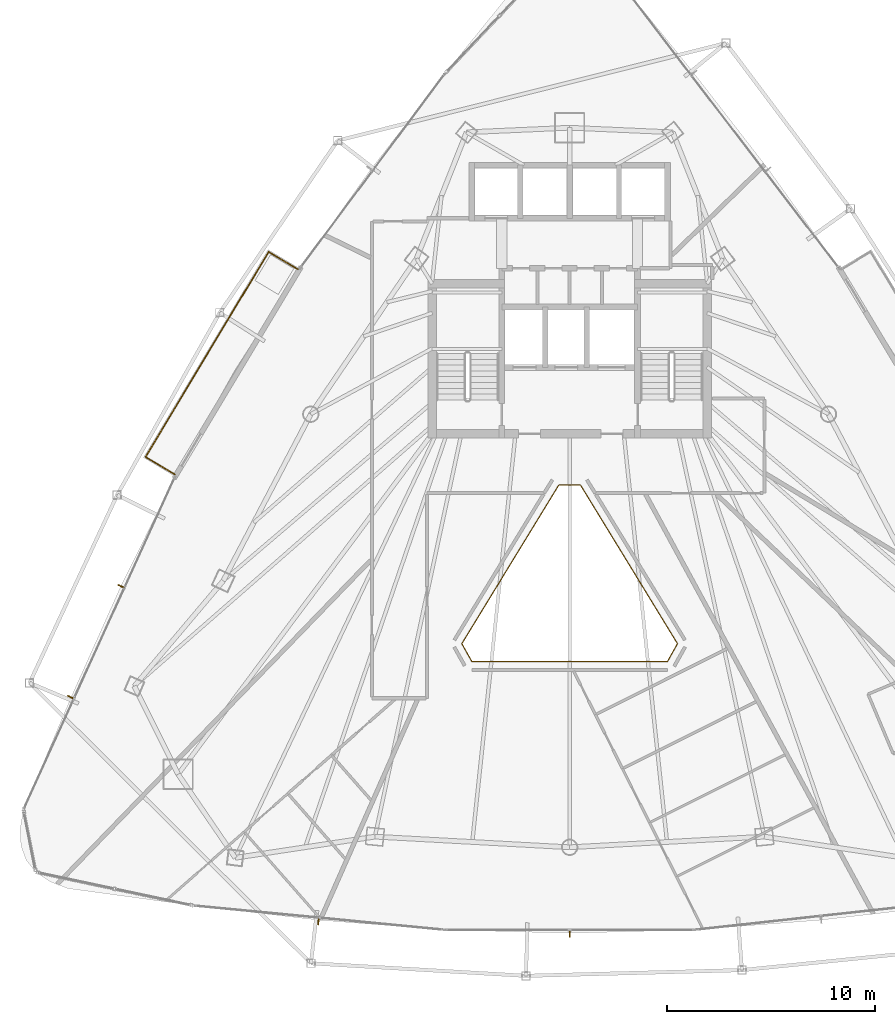
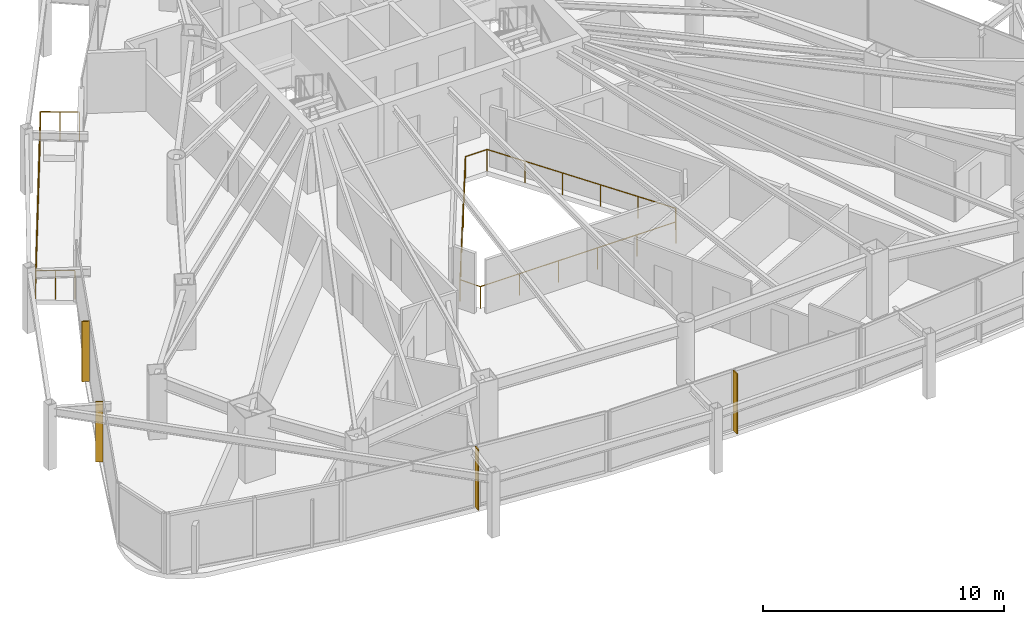
# One storey, part 29 of 31: 4 shading devices, 2 railings.
"""IFC4 building model written with IfcOpenShell, lengths in metres."""

from ifc_helpers import new_model, si_unit, direction, frame, origin, origin_2d, place, context, subcontext, project, spatial, rectangle, circle, extrude, material, layer, layer_set, type_object, element, save


model = new_model("IFC4")

# Units and contexts
model_context = context("Model", 3, precision=1e-05, world=origin(), true_north=direction((0.0, 1.0)))
body_context = subcontext(model_context, "Body", "Model", "MODEL_VIEW")
ifc_project = project(units=[si_unit("LENGTHUNIT", "METRE"), si_unit("AREAUNIT", "SQUARE_METRE"), si_unit("VOLUMEUNIT", "CUBIC_METRE"), si_unit("PLANEANGLEUNIT", "RADIAN"), si_unit("MASSUNIT", "GRAM", prefix="KILO")], contexts=[model_context])

# Site, building, storey
site_placement = place(None, origin())
site = spatial("IfcSite", under=ifc_project, at=site_placement, CompositionType="ELEMENT")
building_placement = place(site_placement, origin())
building = spatial("IfcBuilding", under=site, at=building_placement, Name="Orvanel Arch Residences", CompositionType="ELEMENT")
storey_placement = place(building_placement, frame((0.0, 0.0, 106.699951171875)))
storey = spatial("IfcBuildingStorey", under=building, at=storey_placement, Name="L29", CompositionType="ELEMENT", Elevation=106.699951171875)

# Shading devices
ifc_material = material(Name="Bronze-anodised aluminium AA6063-T6", Category="aluminium")
ifc_layer = layer(ifc_material, 0.054931640625)
ifc_layer_set = layer_set([ifc_layer], Name="Bronze-anodised aluminium AA6063-T6")
shading_device_type = type_object("IfcShadingDeviceType", Name="FIN-BRZ-320", PredefinedType="USERDEFINED", material=ifc_layer_set)
for number, where, z_axis, x_axis, name in (
    (1, (11.450927734375, 19.382080078125, 0.0), (0.0, 0.0, 1.0), (-0.909961270877, 0.414693242656, 0.0), "L29 Anodised Bronze Mullion FIN 01"),
    (2, (9.028076171875, 14.05908203125, 0.0), (0.0, 0.0, 1.0), (-0.909961270877, 0.414693242656, 0.0), "L29 Anodised Bronze Mullion FIN 02"),
    (3, (20.93603515625, 3.27392578125, 0.0), (0.0, 0.0, 1.0), (-0.09584575252, -0.995396198367, 0.0), "L29 Anodised Bronze Mullion FIN 01"),
    (4, (33.0, 2.69189453125, 0.0), (0.0, 0.0, 1.0), (0.0, -1.0, 0.0), "L29 Anodised Bronze Mullion FIN 01"),
):
    element("IfcShadingDevice", number, at=place(storey_placement, frame(where, z_axis=z_axis, x_axis=x_axis)), inside=storey, type_object=shading_device_type, Name=name, ObjectType="FIN", PredefinedType="USERDEFINED", context=body_context, shape_type="SweptSolid", body=[
        extrude(rectangle(XDim=0.320068359375, YDim=0.054931640625, at=origin_2d()), origin(), (0.0, 0.0, 1.0), 3.06005859375),
    ])

# Railings
railing_type_1 = type_object("IfcRailingType", Name="RL-ATR-1120", PredefinedType="BALUSTRADE", material=ifc_material)
railing_1_placement = place(storey_placement, frame((33.52392578125, 24.22998046875, 0.0)))
element("IfcRailing", 5, at=railing_1_placement, inside=storey, type_object=railing_type_1, Name="L29 Atrium Void Protective Balustrade", PredefinedType="BALUSTRADE", context=body_context, shape_type="SweptSolid", body=[
    extrude(circle(Radius=0.02392578125, at=origin_2d()), frame((-0.00146484375, 0.0, 1.09619140625), z_axis=(-1.0, 0.0, 0.0), x_axis=(0.0, -1.0, 0.0)), (0.0, 0.0, 1.0), 1.044921875),
    extrude(circle(Radius=0.02392578125, at=origin_2d()), frame((-1.048583984375, -0.001220703125, 1.09619140625), z_axis=(-0.521600617543, -0.853189777118, 0.0), x_axis=(0.853189777118, -0.521600617543, 0.0)), (0.0, 0.0, 1.0), 8.9140625),
    extrude(circle(Radius=0.02392578125, at=origin_2d()), frame((-5.6982421875, -7.609130859375, 1.09619140625), z_axis=(0.488905623949, -0.872336684355, 0.0), x_axis=(0.872336684355, 0.488905623949, 0.0)), (0.0, 0.0, 1.0), 0.980712890625),
    extrude(circle(Radius=0.02392578125, at=origin_2d()), frame((-5.216552734375, -8.466064453125, 1.09619140625), z_axis=(1.0, 0.0, 0.0), x_axis=(0.0, 1.0, 0.0)), (0.0, 0.0, 1.0), 9.38525390625),
    extrude(circle(Radius=0.02392578125, at=origin_2d()), frame((4.1708984375, -8.46484375, 1.09619140625), z_axis=(0.488905623949, 0.872336684355, 0.0), x_axis=(-0.872336684355, 0.488905623949, 0.0)), (0.0, 0.0, 1.0), 0.980712890625),
    extrude(circle(Radius=0.02392578125, at=origin_2d()), frame((4.650390625, -7.606689453125, 1.09619140625), z_axis=(-0.521600617543, 0.853189777118, 0.0), x_axis=(-0.853189777118, -0.521600617543, 0.0)), (0.0, 0.0, 1.0), 8.9140625),
    extrude(circle(Radius=0.02099609375, at=origin_2d()), origin(), (0.0, 0.0, 1.0), 1.070068359375),
    extrude(circle(Radius=0.02099609375, at=origin_2d()), frame((-1.0478515625, 0.0, 0.0)), (0.0, 0.0, 1.0), 1.070068359375),
    extrude(circle(Radius=0.02099609375, at=origin_2d()), frame((-1.97802734375, -1.521484375, 0.0)), (0.0, 0.0, 1.0), 1.070068359375),
    extrude(circle(Radius=0.02099609375, at=origin_2d()), frame((-2.908203125, -3.043212890625, 0.0)), (0.0, 0.0, 1.0), 1.070068359375),
    extrude(circle(Radius=0.02099609375, at=origin_2d()), frame((-3.838623046875, -4.564697265625, 0.0)), (0.0, 0.0, 1.0), 1.070068359375),
    extrude(circle(Radius=0.02099609375, at=origin_2d()), frame((-4.768798828125, -6.08642578125, 0.0)), (0.0, 0.0, 1.0), 1.070068359375),
    extrude(circle(Radius=0.02099609375, at=origin_2d()), frame((-5.698974609375, -7.60791015625, 0.0)), (0.0, 0.0, 1.0), 1.070068359375),
    extrude(circle(Radius=0.02099609375, at=origin_2d()), frame((-5.218017578125, -8.466064453125, 0.0)), (0.0, 0.0, 1.0), 1.070068359375),
    extrude(circle(Radius=0.02099609375, at=origin_2d()), frame((-3.34033203125, -8.466064453125, 0.0)), (0.0, 0.0, 1.0), 1.070068359375),
    extrude(circle(Radius=0.02099609375, at=origin_2d()), frame((-1.462646484375, -8.466064453125, 0.0)), (0.0, 0.0, 1.0), 1.070068359375),
    extrude(circle(Radius=0.02099609375, at=origin_2d()), frame((0.414794921875, -8.466064453125, 0.0)), (0.0, 0.0, 1.0), 1.070068359375),
    extrude(circle(Radius=0.02099609375, at=origin_2d()), frame((2.29248046875, -8.466064453125, 0.0)), (0.0, 0.0, 1.0), 1.070068359375),
    extrude(circle(Radius=0.02099609375, at=origin_2d()), frame((4.170166015625, -8.466064453125, 0.0)), (0.0, 0.0, 1.0), 1.070068359375),
    extrude(circle(Radius=0.02099609375, at=origin_2d()), frame((4.651123046875, -7.60791015625, 0.0)), (0.0, 0.0, 1.0), 1.070068359375),
    extrude(circle(Radius=0.02099609375, at=origin_2d()), frame((3.720947265625, -6.08642578125, 0.0)), (0.0, 0.0, 1.0), 1.070068359375),
    extrude(circle(Radius=0.02099609375, at=origin_2d()), frame((2.790771484375, -4.564697265625, 0.0)), (0.0, 0.0, 1.0), 1.070068359375),
    extrude(circle(Radius=0.02099609375, at=origin_2d()), frame((1.8603515625, -3.043212890625, 0.0)), (0.0, 0.0, 1.0), 1.070068359375),
    extrude(circle(Radius=0.02099609375, at=origin_2d()), frame((0.93017578125, -1.521484375, 0.0)), (0.0, 0.0, 1.0), 1.070068359375),
])
railing_type_2 = type_object("IfcRailingType", Name="RL-BAL-1480", PredefinedType="BALUSTRADE", material=ifc_material)
railing_2_placement = place(storey_placement, frame((19.951904296875, 34.595947265625, 0.0)))
element("IfcRailing", 6, at=railing_2_placement, inside=storey, type_object=railing_type_2, Name="L29 Balcony Perimeter Guardrail Face 1", PredefinedType="BALUSTRADE", context=body_context, shape_type="SweptSolid", body=[
    extrude(circle(Radius=0.02392578125, at=origin_2d()), frame((-0.001220703125, 0.000732421875, 1.4560546875), z_axis=(-0.857387817543, 0.514670895164, 0.0), x_axis=(-0.514670895164, -0.857387817543, 0.0)), (0.0, 0.0, 1.0), 1.636962890625),
    extrude(circle(Radius=0.02392578125, at=origin_2d()), frame((-1.40673828125, 0.8427734375, 1.4560546875), z_axis=(-0.514411375866, -0.857543547804, 0.0), x_axis=(0.857543547804, -0.514411375866, 0.0)), (0.0, 0.0, 1.0), 11.485595703125),
    extrude(circle(Radius=0.02392578125, at=origin_2d()), frame((-7.314697265625, -9.0087890625, 1.4560546875), z_axis=(0.857545439568, -0.514408222208, 0.0), x_axis=(0.514408222208, 0.857545439568, 0.0)), (0.0, 0.0, 1.0), 1.6376953125),
    extrude(circle(Radius=0.02099609375, at=origin_2d()), origin(), (0.0, 0.0, 1.0), 1.429931640625),
    extrude(circle(Radius=0.02099609375, at=origin_2d()), frame((-0.703125, 0.421875, 0.0)), (0.0, 0.0, 1.0), 1.429931640625),
    extrude(circle(Radius=0.02099609375, at=origin_2d()), frame((-1.406005859375, 0.843994140625, 0.0)), (0.0, 0.0, 1.0), 1.429931640625),
    extrude(circle(Radius=0.02099609375, at=origin_2d()), frame((-1.9970703125, -0.14111328125, 0.0)), (0.0, 0.0, 1.0), 1.429931640625),
    extrude(circle(Radius=0.02099609375, at=origin_2d()), frame((-2.587890625, -1.12646484375, 0.0)), (0.0, 0.0, 1.0), 1.429931640625),
    extrude(circle(Radius=0.02099609375, at=origin_2d()), frame((-3.178955078125, -2.111572265625, 0.0)), (0.0, 0.0, 1.0), 1.429931640625),
    extrude(circle(Radius=0.02099609375, at=origin_2d()), frame((-3.77001953125, -3.096923828125, 0.0)), (0.0, 0.0, 1.0), 1.429931640625),
    extrude(circle(Radius=0.02099609375, at=origin_2d()), frame((-4.36083984375, -4.08203125, 0.0)), (0.0, 0.0, 1.0), 1.429931640625),
    extrude(circle(Radius=0.02099609375, at=origin_2d()), frame((-4.951904296875, -5.067138671875, 0.0)), (0.0, 0.0, 1.0), 1.429931640625),
    extrude(circle(Radius=0.02099609375, at=origin_2d()), frame((-5.54296875, -6.052490234375, 0.0)), (0.0, 0.0, 1.0), 1.429931640625),
    extrude(circle(Radius=0.02099609375, at=origin_2d()), frame((-6.134033203125, -7.03759765625, 0.0)), (0.0, 0.0, 1.0), 1.429931640625),
    extrude(circle(Radius=0.02099609375, at=origin_2d()), frame((-6.724853515625, -8.02294921875, 0.0)), (0.0, 0.0, 1.0), 1.429931640625),
    extrude(circle(Radius=0.02099609375, at=origin_2d()), frame((-7.31591796875, -9.008056640625, 0.0)), (0.0, 0.0, 1.0), 1.429931640625),
    extrude(circle(Radius=0.02099609375, at=origin_2d()), frame((-6.6123046875, -9.43017578125, 0.0)), (0.0, 0.0, 1.0), 1.429931640625),
    extrude(circle(Radius=0.02099609375, at=origin_2d()), frame((-5.908935546875, -9.85205078125, 0.0)), (0.0, 0.0, 1.0), 1.429931640625),
])

save(model, "model.ifc")
